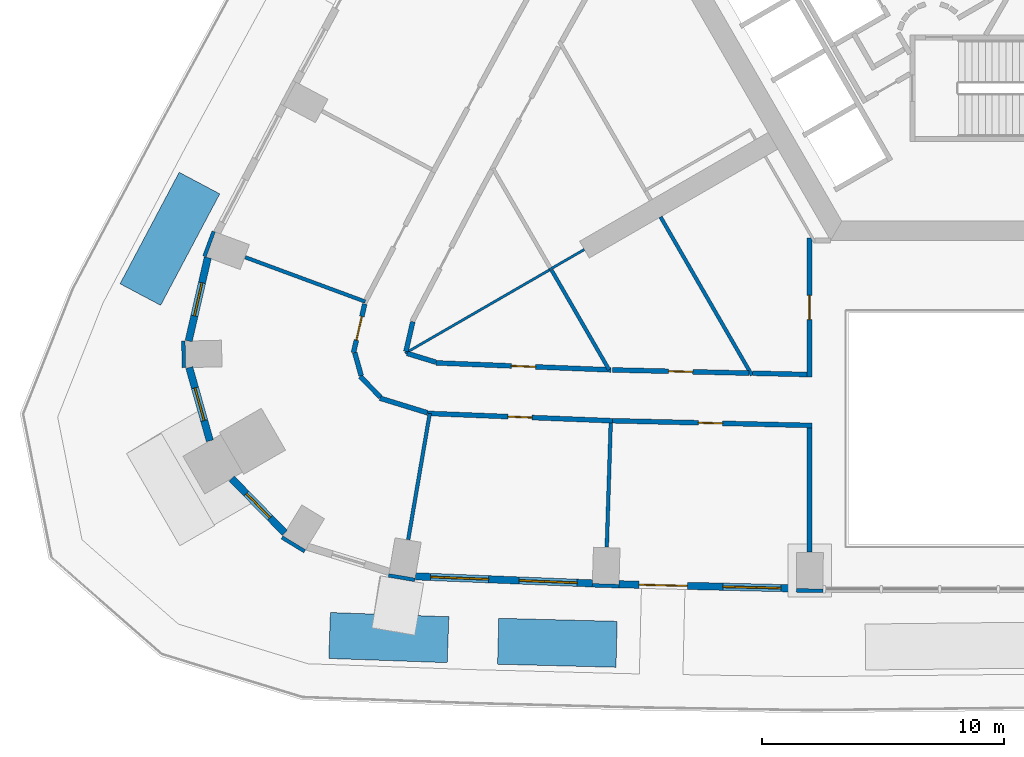
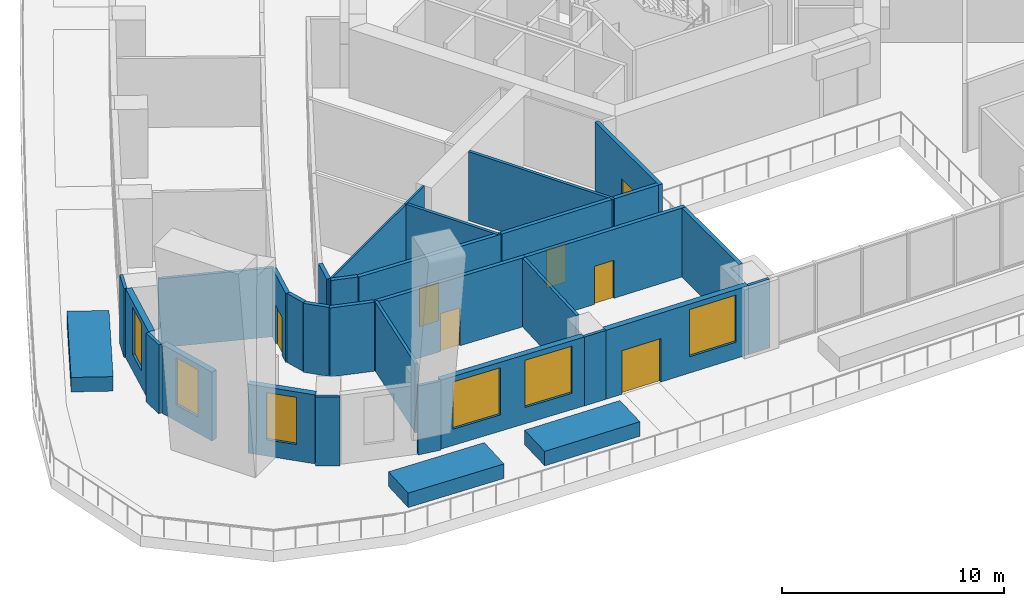
# One storey, part 4 of 16: 34 walls, 7 doors, 6 windows, 13 openings.
"""IFC4 building model written with IfcOpenShell, lengths in metres."""

from ifc_helpers import new_model, si_unit, direction, frame, frame_2d, origin, place, context, subcontext, project, spatial, rectangle, extrude, material, layer, layer_set, type_object, element, fill, save


model = new_model("IFC4")

# Units and contexts
model_context = context("Model", 3, precision=1e-05, world=origin(), true_north=direction((0.0, 1.0)))
body_context = subcontext(model_context, "Body", "Model", "MODEL_VIEW")
ifc_project = project(units=[si_unit("LENGTHUNIT", "METRE"), si_unit("AREAUNIT", "SQUARE_METRE"), si_unit("VOLUMEUNIT", "CUBIC_METRE"), si_unit("PLANEANGLEUNIT", "RADIAN"), si_unit("MASSUNIT", "GRAM", prefix="KILO")], contexts=[model_context])

# Site, building, storey
site_placement = place(None, origin())
site = spatial("IfcSite", under=ifc_project, at=site_placement, CompositionType="ELEMENT")
building_placement = place(site_placement, origin())
building = spatial("IfcBuilding", under=site, at=building_placement, Name="Entoto Arch Interchange Tower", CompositionType="ELEMENT")
storey_placement = place(building_placement, frame((0.0, 0.0, 138.199951171875)))
storey = spatial("IfcBuildingStorey", under=building, at=storey_placement, Name="L30", CompositionType="ELEMENT", Elevation=138.199951171875)

# Walls
ifc_material_1 = material(Name="Gypsum board partition on steel studs", Category="steel")
ifc_layer_1 = layer(ifc_material_1, 0.10009765625)
ifc_layer_set_1 = layer_set([ifc_layer_1], Name="Gypsum board partition on steel studs")
wall_type_1 = type_object("IfcWallType", Name="PARTITION 100", PredefinedType="PARTITIONING", material=ifc_layer_set_1)
wall_1_placement = place(storey_placement, frame((-17.10791015625, -9.868896484375, 0.0), z_axis=(0.0, 0.0, 1.0), x_axis=(-0.866054481515, -0.499949632511, 0.0)))
element("IfcWall", 1, at=wall_1_placement, inside=storey, type_object=wall_type_1, Name="wall:L30:p119", PredefinedType="PARTITIONING", context=body_context, shape_type="SweptSolid", body=[
    extrude(rectangle(XDim=1.674560546875, YDim=0.10009765625, at=frame_2d((0.83740234375, 0.0))), origin(), (0.0, 0.0, 1.0), 3.800048828125),
])
wall_2_placement = place(storey_placement, frame((-18.552978515625, -10.715087890625, 0.0), z_axis=(0.0, 0.0, 1.0), x_axis=(-0.865984622623, -0.500070628392, 0.0)))
element("IfcWall", 2, at=wall_2_placement, inside=storey, type_object=wall_type_1, Name="wall:L30:p122", PredefinedType="PARTITIONING", context=body_context, shape_type="SweptSolid", body=[
    extrude(rectangle(XDim=6.87890625, YDim=0.10009765625, at=frame_2d((3.439453125, 0.0))), origin(), (0.0, 0.0, 1.0), 3.800048828125),
])
ifc_layer_2 = layer(ifc_material_1, 0.14990234375)
ifc_layer_set_2 = layer_set([ifc_layer_2], Name="Gypsum board partition on steel studs")
wall_type_2 = type_object("IfcWallType", Name="PARTITION 150", PredefinedType="PARTITIONING", material=ifc_layer_set_2)
wall_3_placement = place(storey_placement, frame((-10.179931640625, -15.068115234375, 0.0), z_axis=(0.0, 0.0, 1.0), x_axis=(-0.499907901386, 0.866078570415, 0.0)))
element("IfcWall", 3, at=wall_3_placement, inside=storey, type_object=wall_type_2, Name="wall:L30:p118", PredefinedType="PARTITIONING", context=body_context, shape_type="SweptSolid", body=[
    extrude(rectangle(XDim=7.5595703125, YDim=0.14990234375, at=frame_2d((3.77978515625, 0.0))), origin(), (0.0, 0.0, 1.0), 3.800048828125),
])
wall_4_placement = place(storey_placement, frame((-16.083984375, -14.841064453125, 0.0), z_axis=(0.0, 0.0, 1.0), x_axis=(-0.50002451059, 0.866011252126, 0.0)))
element("IfcWall", 4, at=wall_4_placement, inside=storey, type_object=wall_type_2, Name="wall:L30:p121", PredefinedType="PARTITIONING", context=body_context, shape_type="SweptSolid", body=[
    extrude(rectangle(XDim=4.757568359375, YDim=0.14990234375, at=frame_2d((2.37890625, 0.0))), origin(), (0.0, 0.0, 1.0), 3.800048828125),
])
wall_5_placement = place(storey_placement, frame((-26.1640625, -12.02294921875, 0.0), z_axis=(0.0, 0.0, 1.0), x_axis=(-0.937995804261, 0.346646608505, 0.0)))
element("IfcWall", 5, at=wall_5_placement, inside=storey, type_object=wall_type_2, Name="wall:L30:p137", PredefinedType="PARTITIONING", context=body_context, shape_type="SweptSolid", body=[
    extrude(rectangle(XDim=5.287841796875, YDim=0.14990234375, at=frame_2d((2.64404296875, 0.0))), origin(), (0.0, 0.0, 1.0), 3.800048828125),
])
wall_6_placement = place(storey_placement, frame((-23.498046875, -16.64599609375, 0.0), z_axis=(0.0, 0.0, 1.0), x_axis=(-0.168275674737, -0.985739974482, 0.0)))
element("IfcWall", 6, at=wall_6_placement, inside=storey, type_object=wall_type_2, Name="wall:L30:p138", PredefinedType="PARTITIONING", context=body_context, shape_type="SweptSolid", body=[
    extrude(rectangle(XDim=5.288330078125, YDim=0.14990234375, at=frame_2d((2.64404296875, 0.0))), origin(), (0.0, 0.0, 1.0), 3.800048828125),
])
wall_7_placement = place(storey_placement, frame((-16.01806640625, -17.044921875, 0.0), z_axis=(0.0, 0.0, 1.0), x_axis=(-0.031744385759, -0.999496019988, 0.0)))
element("IfcWall", 7, at=wall_7_placement, inside=storey, type_object=wall_type_2, Name="wall:L30:p139", PredefinedType="PARTITIONING", context=body_context, shape_type="SweptSolid", body=[
    extrude(rectangle(XDim=5.1298828125, YDim=0.14990234375, at=frame_2d((2.56494140625, 0.0))), origin(), (0.0, 0.0, 1.0), 3.800048828125),
])
ifc_layer_3 = layer(ifc_material_1, 0.199951171875)
ifc_layer_set_3 = layer_set([ifc_layer_3], Name="Gypsum board partition on steel studs")
wall_type_3 = type_object("IfcWallType", Name="PARTITION 200", PredefinedType="PARTITIONING", material=ifc_layer_set_3)
wall_8_placement = place(storey_placement, frame((-10.155029296875, -14.98291015625, 0.0), z_axis=(0.0, 0.0, 1.0), x_axis=(0.999724165956, -0.023485995887, 0.0)))
element("IfcWall", 8, at=wall_8_placement, inside=storey, type_object=wall_type_3, Name="wall:L30:p024", PredefinedType="PARTITIONING", context=body_context, shape_type="SweptSolid", body=[
    extrude(rectangle(XDim=2.255859375, YDim=0.199951171875, at=frame_2d((1.1279296875, 0.0))), origin(), (0.0, 0.0, 1.0), 3.800048828125),
])

# Wall, opening, door
wall_9_placement = place(storey_placement, frame((-15.947998046875, -14.845947265625, 0.0), z_axis=(0.0, 0.0, 1.0), x_axis=(0.999722136341, -0.023572231734, 0.0)))
wall_9 = element("IfcWall", 9, at=wall_9_placement, inside=storey, type_object=wall_type_3, Name="wall:L30:p026", PredefinedType="PARTITIONING", context=body_context, shape_type="SweptSolid", body=[
    extrude(rectangle(XDim=5.64453125, YDim=0.199951171875, at=frame_2d((2.822265625, 0.0))), origin(), (0.0, 0.0, 1.0), 3.800048828125),
])
opening_1_placement = place(wall_9_placement, frame((2.322021484375, 0.0, 0.0)))
opening_1 = element("IfcOpeningElement", 10, at=opening_1_placement, cuts=wall_9, Name="Opening L30-D27", PredefinedType="OPENING", context=body_context, shape_type="SweptSolid", body=[
    extrude(rectangle(XDim=1.0, YDim=2.10009765625, at=frame_2d((0.5, 1.050048828125))), frame((0.0, 0.10986328125, 0.0), z_axis=(0.0, -1.0, 0.0), x_axis=(1.0, 0.0, 0.0)), (0.0, 0.0, 1.0), 0.219970703125),
])
ifc_material_2 = material(Name="Timber door leaf in Steel S235 frame", Category="steel")
door_type_1 = type_object("IfcDoorType", Name="DOOR DS-10 1000x2100", OperationType="SINGLE_SWING_LEFT", PredefinedType="DOOR", material=ifc_material_2)
door_1_placement = place(opening_1_placement, origin())
door_1 = element("IfcDoor", 11, at=door_1_placement, inside=storey, type_object=door_type_1, Name="door:L30:27", OperationType="SINGLE_SWING_LEFT", OverallHeight=2.10009765625, OverallWidth=1.0, PredefinedType="DOOR", context=body_context, shape_type="SweptSolid", body=[
    extrude(rectangle(XDim=1.0, YDim=2.10009765625, at=frame_2d((0.5, 1.050048828125))), frame((0.0, 0.02490234375, 0.0), z_axis=(0.0, -1.0, 0.0), x_axis=(1.0, 0.0, 0.0)), (0.0, 0.0, 1.0), 0.050048828125),
])
fill(opening_1, door_1)

# Walls
wall_10_placement = place(storey_placement, frame((-24.199951171875, -12.85400390625, 0.0), z_axis=(0.0, 0.0, 1.0), x_axis=(-0.223967203961, -0.974596681479, 0.0)))
element("IfcWall", 12, at=wall_10_placement, inside=storey, type_object=wall_type_3, Name="wall:L30:p028", PredefinedType="PARTITIONING", context=body_context, shape_type="SweptSolid", body=[
    extrude(rectangle(XDim=1.259033203125, YDim=0.199951171875, at=frame_2d((0.62939453125, 0.0))), origin(), (0.0, 0.0, 1.0), 3.800048828125),
])
wall_11_placement = place(storey_placement, frame((-24.43505859375, -14.162109375, 0.0), z_axis=(0.0, 0.0, 1.0), x_axis=(0.956086269468, -0.293085389152, 0.0)))
element("IfcWall", 13, at=wall_11_placement, inside=storey, type_object=wall_type_3, Name="wall:L30:p030", PredefinedType="PARTITIONING", context=body_context, shape_type="SweptSolid", body=[
    extrude(rectangle(XDim=1.251953125, YDim=0.199951171875, at=frame_2d((0.6259765625, 0.0))), origin(), (0.0, 0.0, 1.0), 3.800048828125),
])

# Wall, opening, door
wall_12_placement = place(storey_placement, frame((-23.241943359375, -14.554931640625, 0.0), z_axis=(0.0, 0.0, 1.0), x_axis=(0.999202143743, -0.039938401802, 0.0)))
wall_12 = element("IfcWall", 14, at=wall_12_placement, inside=storey, type_object=wall_type_3, Name="wall:L30:p031", PredefinedType="PARTITIONING", context=body_context, shape_type="SweptSolid", body=[
    extrude(rectangle(XDim=7.23779296875, YDim=0.199951171875, at=frame_2d((3.618896484375, 0.0))), origin(), (0.0, 0.0, 1.0), 3.800048828125),
])
opening_2_placement = place(wall_12_placement, frame((3.118896484375, 0.0, 0.0)))
opening_2 = element("IfcOpeningElement", 15, at=opening_2_placement, cuts=wall_12, Name="Opening L30-D29", PredefinedType="OPENING", context=body_context, shape_type="SweptSolid", body=[
    extrude(rectangle(XDim=1.0, YDim=2.10009765625, at=frame_2d((0.5, 1.050048828125))), frame((0.0, 0.10986328125, 0.0), z_axis=(0.0, -1.0, 0.0), x_axis=(1.0, 0.0, 0.0)), (0.0, 0.0, 1.0), 0.219970703125),
])
door_2_placement = place(opening_2_placement, origin())
door_2 = element("IfcDoor", 16, at=door_2_placement, inside=storey, type_object=door_type_1, Name="door:L30:29", OperationType="SINGLE_SWING_LEFT", OverallHeight=2.10009765625, OverallWidth=1.0, PredefinedType="DOOR", context=body_context, shape_type="SweptSolid", body=[
    extrude(rectangle(XDim=1.0, YDim=2.10009765625, at=frame_2d((0.5, 1.050048828125))), frame((0.0, 0.02490234375, 0.0), z_axis=(0.0, -1.0, 0.0), x_axis=(1.0, 0.0, 0.0)), (0.0, 0.0, 1.0), 0.050048828125),
])
fill(opening_2, door_2)

# Walls
wall_13_placement = place(storey_placement, frame((-23.593994140625, -16.616943359375, 0.0), z_axis=(0.0, 0.0, 1.0), x_axis=(-0.955896815358, 0.293702704087, 0.0)))
element("IfcWall", 17, at=wall_13_placement, inside=storey, type_object=wall_type_3, Name="wall:L30:p060", PredefinedType="PARTITIONING", context=body_context, shape_type="SweptSolid", body=[
    extrude(rectangle(XDim=2.059814453125, YDim=0.199951171875, at=frame_2d((1.02978515625, 0.0))), origin(), (0.0, 0.0, 1.0), 3.800048828125),
])
wall_14_placement = place(storey_placement, frame((-25.5380859375, -15.969970703125, 0.0), z_axis=(0.0, 0.0, 1.0), x_axis=(-0.698272822523, 0.715831729756, 0.0)))
element("IfcWall", 18, at=wall_14_placement, inside=storey, type_object=wall_type_3, Name="wall:L30:p061", PredefinedType="PARTITIONING", context=body_context, shape_type="SweptSolid", body=[
    extrude(rectangle(XDim=1.19580078125, YDim=0.199951171875, at=frame_2d((0.597900390625, 0.0))), origin(), (0.0, 0.0, 1.0), 3.800048828125),
])
wall_15_placement = place(storey_placement, frame((-26.330078125, -15.089111328125, 0.0), z_axis=(0.0, 0.0, 1.0), x_axis=(-0.270631784819, 0.962682936925, 0.0)))
element("IfcWall", 19, at=wall_15_placement, inside=storey, type_object=wall_type_3, Name="wall:L30:p062", PredefinedType="PARTITIONING", context=body_context, shape_type="SweptSolid", body=[
    extrude(rectangle(XDim=0.994140625, YDim=0.199951171875, at=frame_2d((0.4970703125, 0.0))), origin(), (0.0, 0.0, 1.0), 3.800048828125),
])

# Wall, opening, door
wall_16_placement = place(storey_placement, frame((-26.64892578125, -14.133056640625, 0.0), z_axis=(0.0, 0.0, 1.0), x_axis=(0.224108401048, 0.974564222912, 0.0)))
wall_16 = element("IfcWall", 20, at=wall_16_placement, inside=storey, type_object=wall_type_3, Name="wall:L30:p063", PredefinedType="PARTITIONING", context=body_context, shape_type="SweptSolid", body=[
    extrude(rectangle(XDim=2.0654296875, YDim=0.199951171875, at=frame_2d((1.03271484375, 0.0))), origin(), (0.0, 0.0, 1.0), 3.800048828125),
])
opening_3_placement = place(wall_16_placement, frame((0.532958984375, 0.0, 0.0)))
opening_3 = element("IfcOpeningElement", 21, at=opening_3_placement, cuts=wall_16, Name="Opening L30-D16", PredefinedType="OPENING", context=body_context, shape_type="SweptSolid", body=[
    extrude(rectangle(XDim=1.0, YDim=2.10009765625, at=frame_2d((0.5, 1.050048828125))), frame((0.0, 0.10986328125, 0.0), z_axis=(0.0, -1.0, 0.0), x_axis=(1.0, 0.0, 0.0)), (0.0, 0.0, 1.0), 0.219970703125),
])
door_3_placement = place(opening_3_placement, origin())
door_3 = element("IfcDoor", 22, at=door_3_placement, inside=storey, type_object=door_type_1, Name="door:L30:16", OperationType="SINGLE_SWING_LEFT", OverallHeight=2.10009765625, OverallWidth=1.0, PredefinedType="DOOR", context=body_context, shape_type="SweptSolid", body=[
    extrude(rectangle(XDim=1.0, YDim=2.10009765625, at=frame_2d((0.5, 1.050048828125))), frame((0.0, 0.02490234375, 0.0), z_axis=(0.0, -1.0, 0.0), x_axis=(1.0, 0.0, 0.0)), (0.0, 0.0, 1.0), 0.050048828125),
])
fill(opening_3, door_3)

wall_17_placement = place(storey_placement, frame((-15.93994140625, -16.947998046875, 0.0), z_axis=(0.0, 0.0, 1.0), x_axis=(-0.999203094545, 0.03991460699, 0.0)))
wall_17 = element("IfcWall", 23, at=wall_17_placement, inside=storey, type_object=wall_type_3, Name="wall:L30:p064", PredefinedType="PARTITIONING", context=body_context, shape_type="SweptSolid", body=[
    extrude(rectangle(XDim=7.6640625, YDim=0.199951171875, at=frame_2d((3.83203125, 0.0))), origin(), (0.0, 0.0, 1.0), 3.800048828125),
])
opening_4_placement = place(wall_17_placement, frame((3.33203125, 0.0, 0.0)))
opening_4 = element("IfcOpeningElement", 24, at=opening_4_placement, cuts=wall_17, Name="Opening L30-D17", PredefinedType="OPENING", context=body_context, shape_type="SweptSolid", body=[
    extrude(rectangle(XDim=1.0, YDim=2.10009765625, at=frame_2d((0.5, 1.050048828125))), frame((0.0, 0.10986328125, 0.0), z_axis=(0.0, -1.0, 0.0), x_axis=(1.0, 0.0, 0.0)), (0.0, 0.0, 1.0), 0.219970703125),
])
door_4_placement = place(opening_4_placement, origin())
door_4 = element("IfcDoor", 25, at=door_4_placement, inside=storey, type_object=door_type_1, Name="door:L30:17", OperationType="SINGLE_SWING_LEFT", OverallHeight=2.10009765625, OverallWidth=1.0, PredefinedType="DOOR", context=body_context, shape_type="SweptSolid", body=[
    extrude(rectangle(XDim=1.0, YDim=2.10009765625, at=frame_2d((0.5, 1.050048828125))), frame((0.0, 0.02490234375, 0.0), z_axis=(0.0, -1.0, 0.0), x_axis=(1.0, 0.0, 0.0)), (0.0, 0.0, 1.0), 0.050048828125),
])
fill(opening_4, door_4)

wall_18_placement = place(storey_placement, frame((-7.699951171875, -17.14111328125, 0.0), z_axis=(0.0, 0.0, 1.0), x_axis=(-0.999722699727, 0.023548325865, 0.0)))
wall_18 = element("IfcWall", 26, at=wall_18_placement, inside=storey, type_object=wall_type_3, Name="wall:L30:p065", PredefinedType="PARTITIONING", context=body_context, shape_type="SweptSolid", body=[
    extrude(rectangle(XDim=8.2421875, YDim=0.199951171875, at=frame_2d((4.12109375, 0.0))), origin(), (0.0, 0.0, 1.0), 3.800048828125),
])
opening_5_placement = place(wall_18_placement, frame((3.696044921875, 0.0, 0.0)))
opening_5 = element("IfcOpeningElement", 27, at=opening_5_placement, cuts=wall_18, Name="Opening L30-D18", PredefinedType="OPENING", context=body_context, shape_type="SweptSolid", body=[
    extrude(rectangle(XDim=1.0, YDim=2.10009765625, at=frame_2d((0.5, 1.050048828125))), frame((0.0, 0.10986328125, 0.0), z_axis=(0.0, -1.0, 0.0), x_axis=(1.0, 0.0, 0.0)), (0.0, 0.0, 1.0), 0.219970703125),
])
door_5_placement = place(opening_5_placement, origin())
door_5 = element("IfcDoor", 28, at=door_5_placement, inside=storey, type_object=door_type_1, Name="door:L30:18", OperationType="SINGLE_SWING_RIGHT", OverallHeight=2.10009765625, OverallWidth=1.0, PredefinedType="DOOR", context=body_context, shape_type="SweptSolid", body=[
    extrude(rectangle(XDim=1.0, YDim=2.10009765625, at=frame_2d((0.5, 1.050048828125))), frame((0.0, 0.02490234375, 0.0), z_axis=(0.0, -1.0, 0.0), x_axis=(1.0, 0.0, 0.0)), (0.0, 0.0, 1.0), 0.050048828125),
])
fill(opening_5, door_5)

wall_19_placement = place(storey_placement, frame((-7.800048828125, -15.138916015625, 0.0), z_axis=(0.0, 0.0, 1.0), x_axis=(0.0, 1.0, 0.0)))
wall_19 = element("IfcWall", 29, at=wall_19_placement, inside=storey, type_object=wall_type_3, Name="wall:L30:p104", PredefinedType="PARTITIONING", context=body_context, shape_type="SweptSolid", body=[
    extrude(rectangle(XDim=5.739990234375, YDim=0.199951171875, at=frame_2d((2.8701171875, 0.0))), origin(), (0.0, 0.0, 1.0), 3.800048828125),
])
opening_6_placement = place(wall_19_placement, frame((2.3701171875, 0.0, 0.0)))
opening_6 = element("IfcOpeningElement", 30, at=opening_6_placement, cuts=wall_19, Name="Opening L30-D25", PredefinedType="OPENING", context=body_context, shape_type="SweptSolid", body=[
    extrude(rectangle(XDim=1.0, YDim=2.10009765625, at=frame_2d((0.5, 1.050048828125))), frame((0.0, 0.10986328125, 0.0), z_axis=(0.0, -1.0, 0.0), x_axis=(1.0, 0.0, 0.0)), (0.0, 0.0, 1.0), 0.219970703125),
])
door_6_placement = place(opening_6_placement, origin())
door_6 = element("IfcDoor", 31, at=door_6_placement, inside=storey, type_object=door_type_1, Name="door:L30:25", OperationType="SINGLE_SWING_LEFT", OverallHeight=2.10009765625, OverallWidth=1.0, PredefinedType="DOOR", context=body_context, shape_type="SweptSolid", body=[
    extrude(rectangle(XDim=1.0, YDim=2.10009765625, at=frame_2d((0.5, 1.050048828125))), frame((0.0, 0.02490234375, 0.0), z_axis=(0.0, -1.0, 0.0), x_axis=(1.0, 0.0, 0.0)), (0.0, 0.0, 1.0), 0.050048828125),
])
fill(opening_6, door_6)

# Walls
wall_20_placement = place(storey_placement, frame((-7.800048828125, -22.37109375, 0.0), z_axis=(0.0, 0.0, 1.0), x_axis=(0.0, 1.0, 0.0)))
element("IfcWall", 32, at=wall_20_placement, inside=storey, type_object=wall_type_3, Name="wall:L30:p106", PredefinedType="PARTITIONING", context=body_context, shape_type="SweptSolid", body=[
    extrude(rectangle(XDim=5.132080078125, YDim=0.199951171875, at=frame_2d((2.56591796875, 0.0))), origin(), (0.0, 0.0, 1.0), 3.800048828125),
])
ifc_material_3 = material(Name="Board-marked precast concrete C50/60", Category="concrete")
ifc_layer_4 = layer(ifc_material_3, 1.89990234375)
ifc_layer_set_4 = layer_set([ifc_layer_4], Name="Board-marked precast concrete C50/60")
wall_type_4 = type_object("IfcWallType", Name="PLANTER RC 1900 Juniperus procera", PredefinedType="STANDARD", material=ifc_layer_set_4)
wall_21_placement = place(storey_placement, frame((-33.014892578125, -7.123046875, 0.0), z_axis=(0.0, 0.0, 1.0), x_axis=(-0.468724005249, -0.883344670501, 0.0)))
element("IfcWall", 33, at=wall_21_placement, inside=storey, type_object=wall_type_4, Name="Terrace planter NW-08 L30", PredefinedType="STANDARD", context=body_context, shape_type="SweptSolid", body=[
    extrude(rectangle(XDim=5.216552734375, YDim=1.89990234375, at=frame_2d((2.6083984375, 0.0))), origin(), (0.0, 0.0, 1.0), 0.800048828125),
])
ifc_layer_5 = layer(ifc_material_3, 1.89990234375)
ifc_layer_set_5 = layer_set([ifc_layer_5], Name="Board-marked precast concrete C50/60")
wall_type_5 = type_object("IfcWallType", Name="PLANTER RC 1900 Olea europaea subsp. cuspidata", PredefinedType="STANDARD", material=ifc_layer_set_5)
wall_22_placement = place(storey_placement, frame((-20.669921875, -26.06103515625, 0.0), z_axis=(0.0, 0.0, 1.0), x_axis=(0.999669002292, -0.025727142403, 0.0)))
element("IfcWall", 34, at=wall_22_placement, inside=storey, type_object=wall_type_5, Name="Terrace planter S-02 L30", PredefinedType="STANDARD", context=body_context, shape_type="SweptSolid", body=[
    extrude(rectangle(XDim=4.896728515625, YDim=1.89990234375, at=frame_2d((2.4482421875, 0.0))), origin(), (0.0, 0.0, 1.0), 0.800048828125),
])
ifc_layer_6 = layer(ifc_material_3, 1.89990234375)
ifc_layer_set_6 = layer_set([ifc_layer_6], Name="Board-marked precast concrete C50/60")
wall_type_6 = type_object("IfcWallType", Name="PLANTER RC 1900 Vachellia abyssinica", PredefinedType="STANDARD", material=ifc_layer_set_6)
wall_23_placement = place(storey_placement, frame((-27.637939453125, -25.822021484375, 0.0), z_axis=(0.0, 0.0, 1.0), x_axis=(0.999361456974, -0.035730635517, 0.0)))
element("IfcWall", 35, at=wall_23_placement, inside=storey, type_object=wall_type_6, Name="Terrace planter S-01 L30", PredefinedType="STANDARD", context=body_context, shape_type="SweptSolid", body=[
    extrude(rectangle(XDim=4.899169921875, YDim=1.89990234375, at=frame_2d((2.44970703125, 0.0))), origin(), (0.0, 0.0, 1.0), 0.800048828125),
])

# Wall, openings, windows
ifc_material_4 = material(Name="Welded tuff (ignimbrite) cladding, warm buff", Category="masonry")
ifc_layer_7 = layer(ifc_material_4, 0.300048828125)
ifc_layer_set_7 = layer_set([ifc_layer_7], Name="Welded tuff (ignimbrite) cladding, warm buff")
wall_type_7 = type_object("IfcWallType", Name="STONE INFILL WALL 300", PredefinedType="STANDARD", material=ifc_layer_set_7)
wall_24_placement = place(storey_placement, frame((-24.090087890625, -23.3779296875, 0.0), z_axis=(0.0, 0.0, 1.0), x_axis=(0.999203621229, -0.039901420066, 0.0)))
wall_24 = element("IfcWall", 36, at=wall_24_placement, inside=storey, type_object=wall_type_7, Name="Facade wall S-01 L30", PredefinedType="STANDARD", context=body_context, shape_type="SweptSolid", body=[
    extrude(rectangle(XDim=7.31787109375, YDim=0.300048828125, at=frame_2d((3.658935546875, 0.0))), origin(), (0.0, 0.0, 1.0), 3.800048828125),
])
opening_7_placement = place(wall_24_placement, frame((0.62890625, 0.0, 0.89990234375)))
opening_7 = element("IfcOpeningElement", 37, at=opening_7_placement, cuts=wall_24, Name="Opening WO-A", PredefinedType="OPENING", context=body_context, shape_type="SweptSolid", body=[
    extrude(rectangle(XDim=2.39990234375, YDim=2.60009765625, at=frame_2d((1.199951171875, 1.300048828125))), frame((0.0, 0.16015625, 0.0), z_axis=(0.0, -1.0, 0.0), x_axis=(1.0, 0.0, 0.0)), (0.0, 0.0, 1.0), 0.320068359375),
])
opening_8_placement = place(wall_24_placement, frame((4.2880859375, 0.0, 0.89990234375)))
opening_8 = element("IfcOpeningElement", 38, at=opening_8_placement, cuts=wall_24, Name="Opening WO-A", PredefinedType="OPENING", context=body_context, shape_type="SweptSolid", body=[
    extrude(rectangle(XDim=2.39990234375, YDim=2.60009765625, at=frame_2d((1.199951171875, 1.300048828125))), frame((0.0, 0.16015625, 0.0), z_axis=(0.0, -1.0, 0.0), x_axis=(1.0, 0.0, 0.0)), (0.0, 0.0, 1.0), 0.320068359375),
])
ifc_material_5 = material(Name="Clear glass, low-e double glazed", Category="glass")
window_type_1 = type_object("IfcWindowType", Name="WINDOW WO-A 2400x2600", PartitioningType="DOUBLE_PANEL_VERTICAL", PredefinedType="WINDOW", material=ifc_material_5)
window_1_placement = place(opening_7_placement, origin())
window_1 = element("IfcWindow", 39, at=window_1_placement, inside=storey, type_object=window_type_1, Name="Window WO-A S-01 L30", OverallHeight=2.60009765625, OverallWidth=2.39990234375, PartitioningType="SINGLE_PANEL", PredefinedType="WINDOW", context=body_context, shape_type="SweptSolid", body=[
    extrude(rectangle(XDim=2.39990234375, YDim=2.60009765625, at=frame_2d((1.199951171875, 1.300048828125))), frame((0.0, 0.030029296875, 0.0), z_axis=(0.0, -1.0, 0.0), x_axis=(1.0, 0.0, 0.0)), (0.0, 0.0, 1.0), 0.06005859375),
])
fill(opening_7, window_1)
window_2_placement = place(opening_8_placement, origin())
window_2 = element("IfcWindow", 40, at=window_2_placement, inside=storey, type_object=window_type_1, Name="Window WO-A S-01 L30", OverallHeight=2.60009765625, OverallWidth=2.39990234375, PartitioningType="SINGLE_PANEL", PredefinedType="WINDOW", context=body_context, shape_type="SweptSolid", body=[
    extrude(rectangle(XDim=2.39990234375, YDim=2.60009765625, at=frame_2d((1.199951171875, 1.300048828125))), frame((0.0, 0.030029296875, 0.0), z_axis=(0.0, -1.0, 0.0), x_axis=(1.0, 0.0, 0.0)), (0.0, 0.0, 1.0), 0.06005859375),
])
fill(opening_8, window_2)

# Wall, openings, door, window
wall_25_placement = place(storey_placement, frame((-15.679931640625, -23.705078125, 0.0), z_axis=(0.0, 0.0, 1.0), x_axis=(0.999722302867, -0.023565168146, 0.0)))
wall_25 = element("IfcWall", 41, at=wall_25_placement, inside=storey, type_object=wall_type_7, Name="Facade wall S-02 L30", PredefinedType="STANDARD", context=body_context, shape_type="SweptSolid", body=[
    extrude(rectangle(XDim=7.3349609375, YDim=0.300048828125, at=frame_2d((3.66748046875, 0.0))), origin(), (0.0, 0.0, 1.0), 3.800048828125),
])
opening_9_placement = place(wall_25_placement, frame((0.833984375, 0.0, 0.0)))
opening_9 = element("IfcOpeningElement", 42, at=opening_9_placement, cuts=wall_25, Name="Opening DT-S-02-L30", PredefinedType="OPENING", context=body_context, shape_type="SweptSolid", body=[
    extrude(rectangle(XDim=2.0, YDim=2.39990234375, at=frame_2d((1.0, 1.199951171875))), frame((0.0, 0.16015625, 0.0), z_axis=(0.0, -1.0, 0.0), x_axis=(1.0, 0.0, 0.0)), (0.0, 0.0, 1.0), 0.320068359375),
])
opening_10_placement = place(wall_25_placement, frame((4.301025390625, 0.0, 0.89990234375)))
opening_10 = element("IfcOpeningElement", 43, at=opening_10_placement, cuts=wall_25, Name="Opening WO-A", PredefinedType="OPENING", context=body_context, shape_type="SweptSolid", body=[
    extrude(rectangle(XDim=2.39990234375, YDim=2.60009765625, at=frame_2d((1.199951171875, 1.300048828125))), frame((0.0, 0.16015625, 0.0), z_axis=(0.0, -1.0, 0.0), x_axis=(1.0, 0.0, 0.0)), (0.0, 0.0, 1.0), 0.320068359375),
])
ifc_material_6 = material(Name="Aluminium and clear glass, anodised", Category="aluminium")
door_type_2 = type_object("IfcDoorType", Name="TERRACE DOOR DT 2000x2400", OperationType="SLIDING_TO_LEFT", PredefinedType="DOOR", material=ifc_material_6)
door_7_placement = place(opening_9_placement, origin())
door_7 = element("IfcDoor", 44, at=door_7_placement, inside=storey, type_object=door_type_2, Name="Terrace door S-02 L30", OperationType="SLIDING_TO_LEFT", OverallHeight=2.39990234375, OverallWidth=2.0, PredefinedType="DOOR", context=body_context, shape_type="SweptSolid", body=[
    extrude(rectangle(XDim=2.0, YDim=2.39990234375, at=frame_2d((1.0, 1.199951171875))), frame((0.0, 0.02490234375, 0.0), z_axis=(0.0, -1.0, 0.0), x_axis=(1.0, 0.0, 0.0)), (0.0, 0.0, 1.0), 0.050048828125),
])
fill(opening_9, door_7)
window_3_placement = place(opening_10_placement, origin())
window_3 = element("IfcWindow", 45, at=window_3_placement, inside=storey, type_object=window_type_1, Name="Window WO-A S-02 L30", OverallHeight=2.60009765625, OverallWidth=2.39990234375, PartitioningType="SINGLE_PANEL", PredefinedType="WINDOW", context=body_context, shape_type="SweptSolid", body=[
    extrude(rectangle(XDim=2.39990234375, YDim=2.60009765625, at=frame_2d((1.199951171875, 1.300048828125))), frame((0.0, 0.030029296875, 0.0), z_axis=(0.0, -1.0, 0.0), x_axis=(1.0, 0.0, 0.0)), (0.0, 0.0, 1.0), 0.06005859375),
])
fill(opening_10, window_3)

# Wall, opening, window
wall_26_placement = place(storey_placement, frame((-32.672119140625, -10.202880859375, 0.0), z_axis=(0.0, 0.0, 1.0), x_axis=(-0.223538714932, -0.974695051247, 0.0)))
wall_26 = element("IfcWall", 46, at=wall_26_placement, inside=storey, type_object=wall_type_7, Name="Facade wall SW-01 L30", PredefinedType="STANDARD", context=body_context, shape_type="SweptSolid", body=[
    extrude(rectangle(XDim=3.53759765625, YDim=0.300048828125, at=frame_2d((1.768798828125, 0.0))), origin(), (0.0, 0.0, 1.0), 3.800048828125),
])
opening_11_placement = place(wall_26_placement, frame((1.069091796875, 0.0, 0.89990234375)))
opening_11 = element("IfcOpeningElement", 47, at=opening_11_placement, cuts=wall_26, Name="Opening WO-B", PredefinedType="OPENING", context=body_context, shape_type="SweptSolid", body=[
    extrude(rectangle(XDim=1.39990234375, YDim=2.60009765625, at=frame_2d((0.699951171875, 1.300048828125))), frame((0.0, 0.16015625, 0.0), z_axis=(0.0, -1.0, 0.0), x_axis=(1.0, 0.0, 0.0)), (0.0, 0.0, 1.0), 0.320068359375),
])
window_type_2 = type_object("IfcWindowType", Name="WINDOW WO-B 1400x2600", PartitioningType="DOUBLE_PANEL_VERTICAL", PredefinedType="WINDOW", material=ifc_material_5)
window_4_placement = place(opening_11_placement, origin())
window_4 = element("IfcWindow", 48, at=window_4_placement, inside=storey, type_object=window_type_2, Name="Window WO-B SW-01 L30", OverallHeight=2.60009765625, OverallWidth=1.39990234375, PartitioningType="SINGLE_PANEL", PredefinedType="WINDOW", context=body_context, shape_type="SweptSolid", body=[
    extrude(rectangle(XDim=1.39990234375, YDim=2.60009765625, at=frame_2d((0.699951171875, 1.300048828125))), frame((0.0, 0.030029296875, 0.0), z_axis=(0.0, -1.0, 0.0), x_axis=(1.0, 0.0, 0.0)), (0.0, 0.0, 1.0), 0.06005859375),
])
fill(opening_11, window_4)

wall_27_placement = place(storey_placement, frame((-33.43701171875, -14.7490234375, 0.0), z_axis=(0.0, 0.0, 1.0), x_axis=(0.270471130801, -0.962728085912, 0.0)))
wall_27 = element("IfcWall", 49, at=wall_27_placement, inside=storey, type_object=wall_type_7, Name="Facade wall SW-02 L30", PredefinedType="STANDARD", context=body_context, shape_type="SweptSolid", body=[
    extrude(rectangle(XDim=3.14306640625, YDim=0.300048828125, at=frame_2d((1.571533203125, 0.0))), origin(), (0.0, 0.0, 1.0), 3.800048828125),
])
opening_12_placement = place(wall_27_placement, frame((0.8720703125, 0.0, 0.89990234375)))
opening_12 = element("IfcOpeningElement", 50, at=opening_12_placement, cuts=wall_27, Name="Opening WO-B", PredefinedType="OPENING", context=body_context, shape_type="SweptSolid", body=[
    extrude(rectangle(XDim=1.39990234375, YDim=2.60009765625, at=frame_2d((0.699951171875, 1.300048828125))), frame((0.0, 0.16015625, 0.0), z_axis=(0.0, -1.0, 0.0), x_axis=(1.0, 0.0, 0.0)), (0.0, 0.0, 1.0), 0.320068359375),
])
window_5_placement = place(opening_12_placement, origin())
window_5 = element("IfcWindow", 51, at=window_5_placement, inside=storey, type_object=window_type_2, Name="Window WO-B SW-02 L30", OverallHeight=2.60009765625, OverallWidth=1.39990234375, PartitioningType="SINGLE_PANEL", PredefinedType="WINDOW", context=body_context, shape_type="SweptSolid", body=[
    extrude(rectangle(XDim=1.39990234375, YDim=2.60009765625, at=frame_2d((0.699951171875, 1.300048828125))), frame((0.0, 0.030029296875, 0.0), z_axis=(0.0, -1.0, 0.0), x_axis=(1.0, 0.0, 0.0)), (0.0, 0.0, 1.0), 0.06005859375),
])
fill(opening_12, window_5)

wall_28_placement = place(storey_placement, frame((-31.68798828125, -19.33203125, 0.0), z_axis=(0.0, 0.0, 1.0), x_axis=(0.698633260198, -0.715479956215, 0.0)))
wall_28 = element("IfcWall", 52, at=wall_28_placement, inside=storey, type_object=wall_type_7, Name="Facade wall SW-03 L30", PredefinedType="STANDARD", context=body_context, shape_type="SweptSolid", body=[
    extrude(rectangle(XDim=3.144775390625, YDim=0.300048828125, at=frame_2d((1.572265625, 0.0))), origin(), (0.0, 0.0, 1.0), 3.800048828125),
])
opening_13_placement = place(wall_28_placement, frame((0.8720703125, 0.0, 0.89990234375)))
opening_13 = element("IfcOpeningElement", 53, at=opening_13_placement, cuts=wall_28, Name="Opening WO-B", PredefinedType="OPENING", context=body_context, shape_type="SweptSolid", body=[
    extrude(rectangle(XDim=1.39990234375, YDim=2.60009765625, at=frame_2d((0.699951171875, 1.300048828125))), frame((0.0, 0.16015625, 0.0), z_axis=(0.0, -1.0, 0.0), x_axis=(1.0, 0.0, 0.0)), (0.0, 0.0, 1.0), 0.320068359375),
])
window_6_placement = place(opening_13_placement, origin())
window_6 = element("IfcWindow", 54, at=window_6_placement, inside=storey, type_object=window_type_2, Name="Window WO-B SW-03 L30", OverallHeight=2.60009765625, OverallWidth=1.39990234375, PartitioningType="SINGLE_PANEL", PredefinedType="WINDOW", context=body_context, shape_type="SweptSolid", body=[
    extrude(rectangle(XDim=1.39990234375, YDim=2.60009765625, at=frame_2d((0.699951171875, 1.300048828125))), frame((0.0, 0.030029296875, 0.0), z_axis=(0.0, -1.0, 0.0), x_axis=(1.0, 0.0, 0.0)), (0.0, 0.0, 1.0), 0.06005859375),
])
fill(opening_13, window_6)

# Walls
ifc_layer_8 = layer(ifc_material_4, 0.14990234375)
ifc_layer_set_8 = layer_set([ifc_layer_8], Name="Welded tuff (ignimbrite) cladding, warm buff")
wall_type_8 = type_object("IfcWallType", Name="STONE PIER CLADDING 150", PredefinedType="STANDARD", material=ifc_layer_set_8)
wall_29_placement = place(storey_placement, frame((-32.428955078125, -9.12109375, 0.0), z_axis=(0.0, 0.0, 1.0), x_axis=(-0.346425160624, -0.93807761304, 0.0)))
element("IfcWall", 55, at=wall_29_placement, inside=storey, type_object=wall_type_8, Name="Stone pier NW08 L30", PredefinedType="STANDARD", context=body_context, shape_type="SweptSolid", body=[
    extrude(rectangle(XDim=1.10009765625, YDim=0.14990234375, at=frame_2d((0.550048828125, 0.0))), origin(), (0.0, 0.0, 1.0), 3.800048828125),
])
wall_30_placement = place(storey_placement, frame((-25.198974609375, -23.339111328125, 0.0), z_axis=(0.0, 0.0, 1.0), x_axis=(0.985800082077, -0.167923191299, 0.0)))
element("IfcWall", 56, at=wall_30_placement, inside=storey, type_object=wall_type_8, Name="Stone pier S01 L30", PredefinedType="STANDARD", context=body_context, shape_type="SweptSolid", body=[
    extrude(rectangle(XDim=1.1005859375, YDim=0.14990234375, at=frame_2d((0.55029296875, 0.0))), origin(), (0.0, 0.0, 1.0), 3.800048828125),
])
wall_31_placement = place(storey_placement, frame((-16.781005859375, -23.75, 0.0), z_axis=(0.0, 0.0, 1.0), x_axis=(0.999523702549, -0.030860460829, 0.0)))
element("IfcWall", 57, at=wall_31_placement, inside=storey, type_object=wall_type_8, Name="Stone pier S02 L30", PredefinedType="STANDARD", context=body_context, shape_type="SweptSolid", body=[
    extrude(rectangle(XDim=1.099609375, YDim=0.14990234375, at=frame_2d((0.5498046875, 0.0))), origin(), (0.0, 0.0, 1.0), 3.800048828125),
])
for number, where, z_axis, x_axis, name in (
    (58, (-8.34912109375, -23.9599609375, 0.0), (0.0, 0.0, 1.0), (0.999940879068, -0.010873746799, 0.0), "Stone pier S03 L30"),
    (59, (-33.68310546875, -13.655029296875, 0.0), (0.0, 0.0, 1.0), (0.023744690764, -0.999718055084, 0.0), "Stone pier SW1 L30"),
):
    element("IfcWall", number, at=place(storey_placement, frame(where, z_axis=z_axis, x_axis=x_axis)), inside=storey, type_object=wall_type_8, Name=name, PredefinedType="STANDARD", context=body_context, shape_type="SweptSolid", body=[
        extrude(rectangle(XDim=1.10009765625, YDim=0.14990234375, at=frame_2d((0.550048828125, 0.0))), origin(), (0.0, 0.0, 1.0), 3.800048828125),
    ])
wall_32_placement = place(storey_placement, frame((-29.60595703125, -21.77001953125, 0.0), z_axis=(0.0, 0.0, 1.0), x_axis=(0.854005542721, -0.520263907071, 0.0)))
element("IfcWall", 60, at=wall_32_placement, inside=storey, type_object=wall_type_8, Name="Stone pier SW3 L30", PredefinedType="STANDARD", context=body_context, shape_type="SweptSolid", body=[
    extrude(rectangle(XDim=1.099365234375, YDim=0.14990234375, at=frame_2d((0.5498046875, 0.0))), origin(), (0.0, 0.0, 1.0), 3.800048828125),
])

save(model, "model.ifc")
